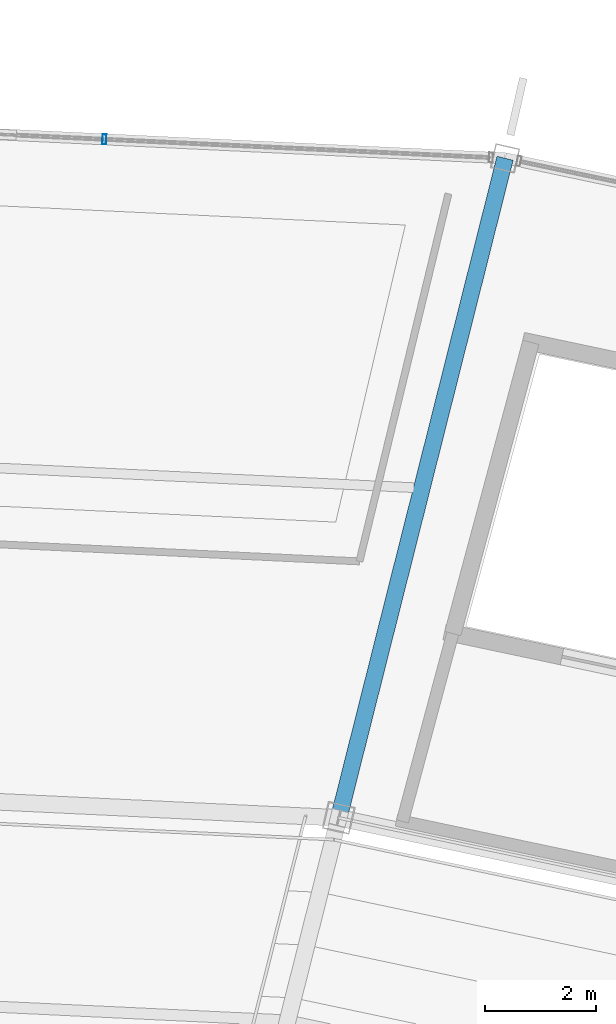
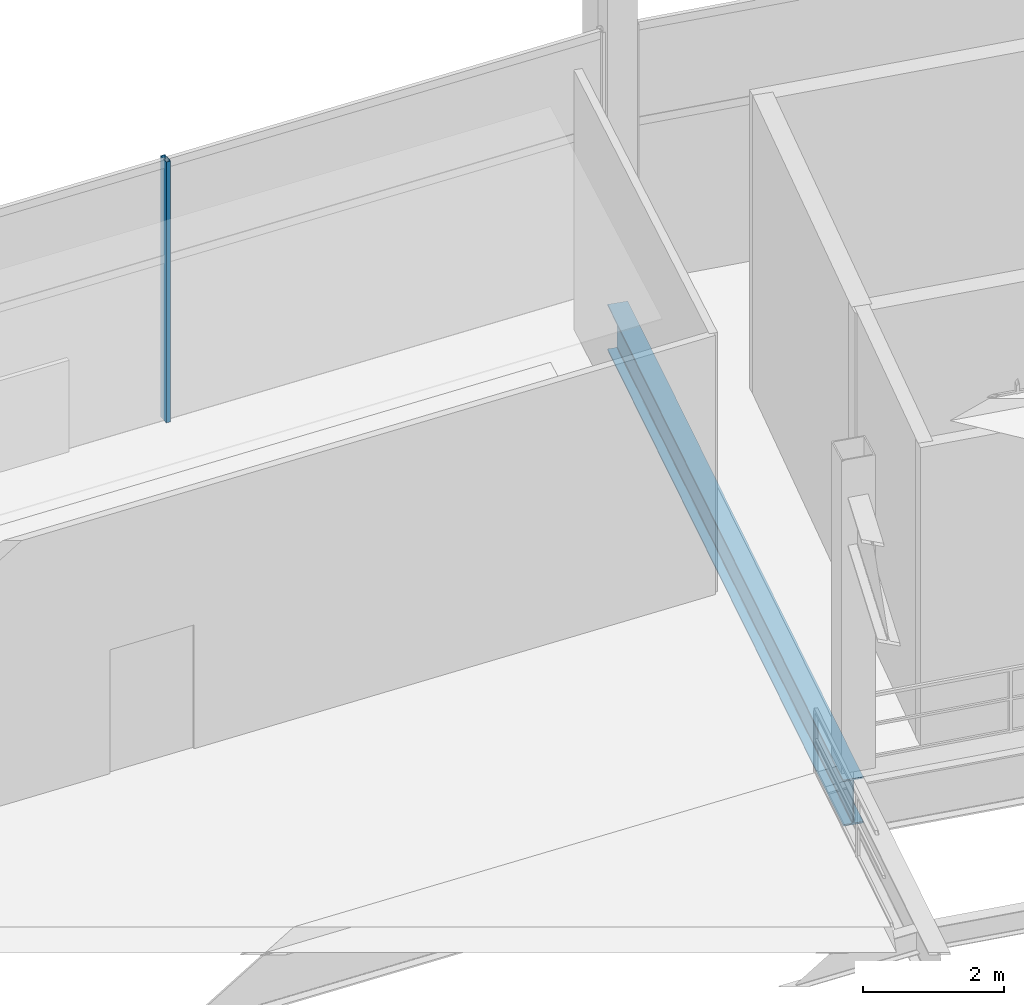
# One storey, part 104 of 186: 1 beam, 1 member, 1 element without a shape of its own.
"""IFC4 building model written with IfcOpenShell, lengths in metres."""

from ifc_helpers import new_model, si_unit, direction, frame, origin, origin_2d, place, context, subcontext, project, spatial, hollow_rectangle, i_section, extrude, material, layer, layer_set, material_profile, profile_set, type_object, element, aggregate, save


model = new_model("IFC4")

# Units and contexts
model_context = context("Model", 3, precision=1e-05, world=origin(), true_north=direction((0.0, 1.0)))
body_context = subcontext(model_context, "Body", "Model", "MODEL_VIEW")
ifc_project = project(units=[si_unit("LENGTHUNIT", "METRE"), si_unit("AREAUNIT", "SQUARE_METRE"), si_unit("VOLUMEUNIT", "CUBIC_METRE"), si_unit("PLANEANGLEUNIT", "RADIAN"), si_unit("MASSUNIT", "GRAM", prefix="KILO")], contexts=[model_context])

# Site, building, storey
site_placement = place(None, origin())
site = spatial("IfcSite", under=ifc_project, at=site_placement, CompositionType="ELEMENT")
building_placement = place(site_placement, origin())
building = spatial("IfcBuilding", under=site, at=building_placement, Name="Kazemori Nagisa Stadium", CompositionType="ELEMENT")
storey_placement = place(building_placement, frame((0.0, 0.0, 20.39990234375)))
storey = spatial("IfcBuildingStorey", under=building, at=storey_placement, Name="L04", CompositionType="ELEMENT", Elevation=20.39990234375)

# Beam
ifc_material_1 = material(Name="Steel SN490B", Category="steel")
ifc_material_profile_1 = material_profile(ifc_material_1, i_section(OverallWidth=0.300048828125, OverallDepth=0.800048828125, WebThickness=0.013916015625, FlangeThickness=0.02587890625, FilletRadius=0.01806640625, at=origin_2d()), Name="H-800x300x14x26")
ifc_profile_set_1 = profile_set([ifc_material_profile_1], Name="Steel SN490B")
beam_type = type_object("IfcBeamType", Name="Beam_BG-H800", PredefinedType="BEAM", material=ifc_profile_set_1)
beam_placement = place(storey_placement, frame((141.427734375, 175.088623046875, -0.699951171875), z_axis=(0.244487324834, 0.969652488263, 0.0), x_axis=(-0.969652488263, 0.244487324834, 0.0)))
element("IfcBeam", 1, at=beam_placement, inside=storey, type_object=beam_type, Name="Radial girder BG-H800 L04 R2-R3-07", PredefinedType="BEAM", context=body_context, shape_type="SweptSolid", body=[
    extrude(i_section(OverallWidth=0.300048828125, OverallDepth=0.800048828125, WebThickness=0.013916015625, FlangeThickness=0.02587890625, FilletRadius=0.01806640625, at=origin_2d()), origin(), (0.0, 0.0, 1.0), 12.2705078125),
])

# Curtain wall, member
ifc_material_2 = material(Name="Anodised aluminium 6063-T5", Category="aluminium")
ifc_layer = layer(ifc_material_2, 0.179931640625, Name="Anodised aluminium 6063-T5", Category="aluminium")
ifc_layer_set = layer_set([ifc_layer], Name="Anodised aluminium 6063-T5")
curtain_wall_type = type_object("IfcCurtainWallType", Name="CW_L04R3_105", PredefinedType="USERDEFINED", material=ifc_layer_set)
curtain_wall_placement = place(storey_placement, origin())
curtain_wall = element("IfcCurtainWall", 2, at=curtain_wall_placement, inside=storey, type_object=curtain_wall_type, Name="Unitised curtain wall CW-L04R3-105 L04", ObjectType="UNITISED CURTAIN WALL", PredefinedType="USERDEFINED")
ifc_material_3 = material(Name="Aluminium 6063-T5 anodised", Category="aluminium")
ifc_material_profile_2 = material_profile(ifc_material_3, hollow_rectangle(XDim=0.070068359375, YDim=0.179931640625, WallThickness=0.00390625, at=origin_2d()), Name="ALU-MULL-70x180x4")
ifc_profile_set_2 = profile_set([ifc_material_profile_2], Name="Aluminium 6063-T5 anodised")
member_type = type_object("IfcMemberType", Name="Mullion_M01", PredefinedType="MULLION", material=ifc_profile_set_2)
member_placement = place(storey_placement, frame((137.2001953125, 187.32861328125, 0.0), z_axis=(0.0, 0.0, 1.0), x_axis=(-0.998884022476, 0.047230388971, 0.0)))
member = element("IfcMember", 3, at=member_placement, type_object=member_type, Name="Curtain wall mullion CW-L04R3-105-M2", PredefinedType="MULLION", context=body_context, shape_type="SweptSolid", body=[
    extrude(hollow_rectangle(XDim=0.070068359375, YDim=0.179931640625, WallThickness=0.00390625, at=origin_2d()), origin(), (0.0, 0.0, 1.0), 4.530029296875),
])
aggregate(curtain_wall, [member])

save(model, "model.ifc")
